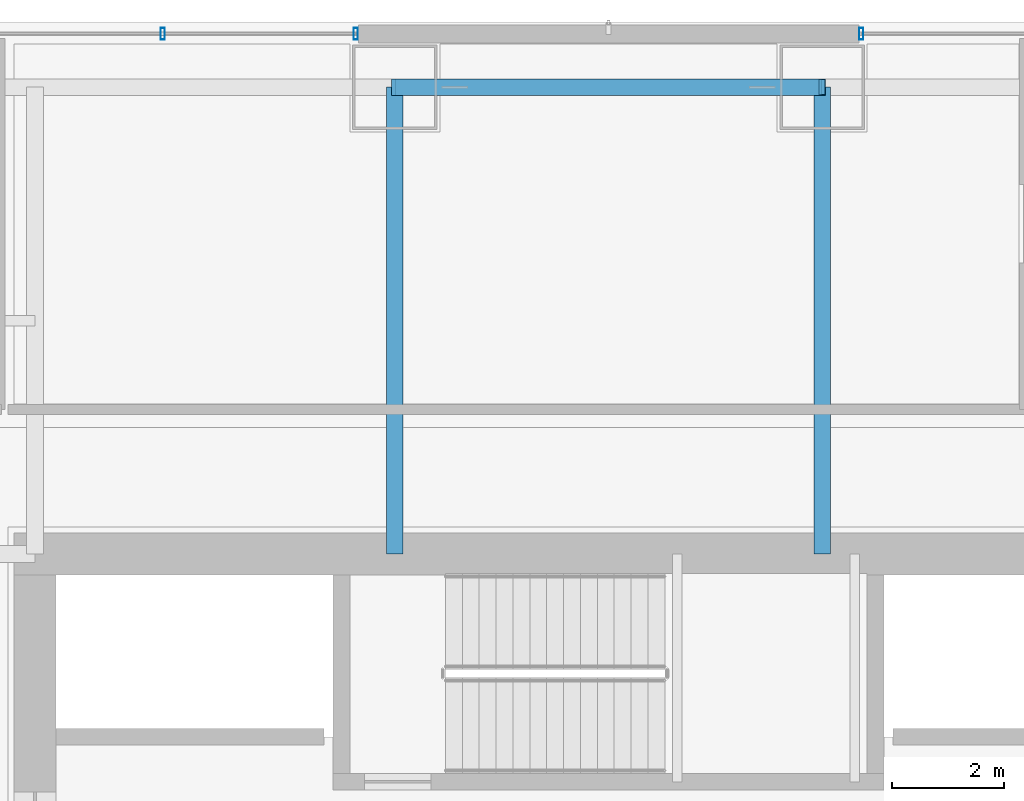
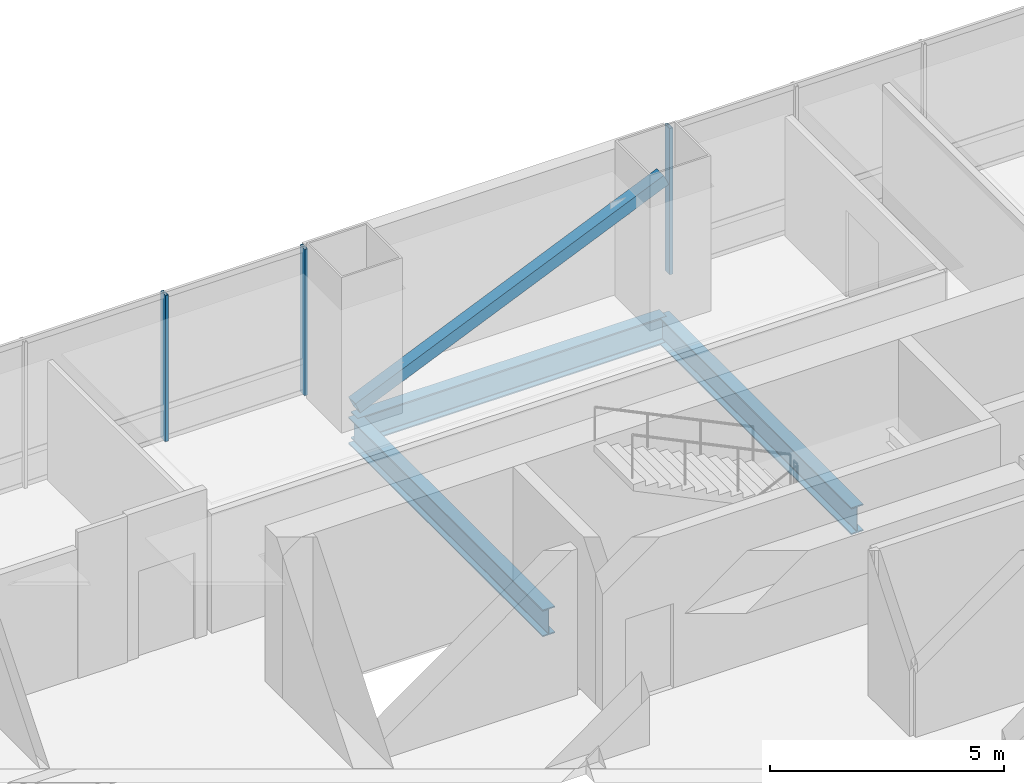
# One storey, part 20 of 37: 4 members, 3 beams, 2 elements without a shape of their own.
"""IFC4 building model written with IfcOpenShell, lengths in metres."""

from ifc_helpers import new_model, si_unit, direction, frame, origin, origin_2d, place, context, subcontext, project, spatial, hollow_rectangle, i_section, extrude, material, material_profile, profile_set, type_object, element, aggregate, save


model = new_model("IFC4")

# Units and contexts
model_context = context("Model", 3, precision=1e-05, world=origin(), true_north=direction((0.0, 1.0)))
body_context = subcontext(model_context, "Body", "Model", "MODEL_VIEW")
ifc_project = project(units=[si_unit("LENGTHUNIT", "METRE"), si_unit("AREAUNIT", "SQUARE_METRE"), si_unit("VOLUMEUNIT", "CUBIC_METRE"), si_unit("PLANEANGLEUNIT", "RADIAN"), si_unit("MASSUNIT", "GRAM", prefix="KILO")], contexts=[model_context])

# Site, building, storey
site_placement = place(None, origin())
site = spatial("IfcSite", under=ifc_project, at=site_placement, CompositionType="ELEMENT")
building_placement = place(site_placement, origin())
building = spatial("IfcBuilding", under=site, at=building_placement, Name="Punatoya Terracotta Tower", CompositionType="ELEMENT")
storey_placement = place(building_placement, frame((0.0, 0.0, 44.39990234375)))
storey = spatial("IfcBuildingStorey", under=building, at=storey_placement, Name="L09", CompositionType="ELEMENT", Elevation=44.39990234375)

# Beams
ifc_material_1 = material(Name="Steel S355", Category="steel")
ifc_material_profile_1 = material_profile(ifc_material_1, i_section(OverallWidth=0.300048828125, OverallDepth=0.699951171875, WebThickness=0.01708984375, FlangeThickness=0.031982421875, FilletRadius=0.01806640625, at=origin_2d()))
ifc_profile_set_1 = profile_set([ifc_material_profile_1], Name="Steel S355")
beam_type = type_object("IfcBeamType", Name="BM-PRI-700", PredefinedType="BEAM", material=ifc_profile_set_1)
beam_placement = place(storey_placement, frame((-3.800048828125, 17.5, -0.58984375), z_axis=(1.0, 0.0, 0.0), x_axis=(0.0, 1.0, 0.0)))
element("IfcBeam", 1, at=beam_placement, inside=storey, type_object=beam_type, Name="BM-L09-RG-N2", PredefinedType="BEAM", context=body_context, shape_type="SweptSolid", body=[
    extrude(i_section(OverallWidth=0.300048828125, OverallDepth=0.699951171875, WebThickness=0.01708984375, FlangeThickness=0.031982421875, FilletRadius=0.01806640625, at=origin_2d()), origin(), (0.0, 0.0, 1.0), 7.60009765625),
])
for number, where, z_axis, x_axis, name in (
    (2, (-3.800048828125, 9.199951171875, -0.58984375), (0.0, 1.0, 0.0), (-1.0, 0.0, 0.0), "BM-L09-PR-N2"),
    (3, (3.800048828125, 9.199951171875, -0.58984375), (0.0, 1.0, 0.0), (-1.0, 0.0, 0.0), "BM-L09-PR-N3"),
):
    element("IfcBeam", number, at=place(storey_placement, frame(where, z_axis=z_axis, x_axis=x_axis)), inside=storey, type_object=beam_type, Name=name, PredefinedType="BEAM", context=body_context, shape_type="SweptSolid", body=[
        extrude(i_section(OverallWidth=0.300048828125, OverallDepth=0.699951171875, WebThickness=0.01708984375, FlangeThickness=0.031982421875, FilletRadius=0.01806640625, at=origin_2d()), origin(), (0.0, 0.0, 1.0), 8.300048828125),
    ])

# Curtain wall, member
ifc_material_2 = material(Name="Aluminium 6063-T6 + Double Low-E Glass", Category="aluminium")
curtain_wall_type = type_object("IfcCurtainWallType", Name="CW-M1", PredefinedType="NOTDEFINED", material=ifc_material_2)
curtain_wall_1_placement = place(storey_placement, origin())
curtain_wall_1 = element("IfcCurtainWall", 4, at=curtain_wall_1_placement, inside=storey, type_object=curtain_wall_type, Name="L09 Curtain Wall CW-L09-N09-1", PredefinedType="NOTDEFINED")
ifc_material_3 = material(Name="Aluminium 6063-T6", Category="aluminium")
ifc_material_profile_2 = material_profile(ifc_material_3, hollow_rectangle(XDim=0.074951171875, YDim=0.2099609375, WallThickness=0.00439453125, at=origin_2d()))
ifc_profile_set_2 = profile_set([ifc_material_profile_2], Name="Aluminium 6063-T6")
member_type_1 = type_object("IfcMemberType", Name="CW-MUL-M1", PredefinedType="MULLION", material=ifc_profile_set_2)
member_1_placement = place(storey_placement, frame((4.4951171875, 18.449951171875, 0.0), z_axis=(0.0, 0.0, 1.0), x_axis=(1.0, 0.0, 0.0)))
member_1 = element("IfcMember", 5, at=member_1_placement, type_object=member_type_1, Name="CW-L09-N09-1 Mullion 04", PredefinedType="MULLION", context=body_context, shape_type="SweptSolid", body=[
    extrude(hollow_rectangle(XDim=0.074951171875, YDim=0.2099609375, WallThickness=0.00439453125, at=origin_2d()), origin(), (0.0, 0.0, 1.0), 3.81005859375),
])
aggregate(curtain_wall_1, [member_1])

# Curtain wall, members
curtain_wall_2_placement = place(storey_placement, origin())
curtain_wall_2 = element("IfcCurtainWall", 6, at=curtain_wall_2_placement, inside=storey, type_object=curtain_wall_type, Name="L09 Curtain Wall CW-L09-N09-2", PredefinedType="NOTDEFINED")
member_2_placement = place(storey_placement, frame((-4.4951171875, 18.449951171875, 0.0), z_axis=(0.0, 0.0, 1.0), x_axis=(1.0, 0.0, 0.0)))
member_2 = element("IfcMember", 7, at=member_2_placement, type_object=member_type_1, Name="CW-L09-N09-2 Mullion 00", PredefinedType="MULLION", context=body_context, shape_type="SweptSolid", body=[
    extrude(hollow_rectangle(XDim=0.074951171875, YDim=0.2099609375, WallThickness=0.00439453125, at=origin_2d()), origin(), (0.0, 0.0, 1.0), 3.81005859375),
])
member_3_placement = place(storey_placement, frame((-7.927490234375, 18.449951171875, 0.0), z_axis=(0.0, 0.0, 1.0), x_axis=(1.0, 0.0, 0.0)))
member_3 = element("IfcMember", 8, at=member_3_placement, type_object=member_type_1, Name="CW-L09-N09-2 Mullion 01", PredefinedType="MULLION", context=body_context, shape_type="SweptSolid", body=[
    extrude(hollow_rectangle(XDim=0.074951171875, YDim=0.2099609375, WallThickness=0.00439453125, at=origin_2d()), origin(), (0.0, 0.0, 1.0), 3.81005859375),
])
aggregate(curtain_wall_2, [member_2, member_3])

# Member
ifc_material_profile_3 = material_profile(ifc_material_1, hollow_rectangle(XDim=0.300048828125, YDim=0.300048828125, WallThickness=0.01611328125, at=origin_2d()))
ifc_profile_set_3 = profile_set([ifc_material_profile_3], Name="Steel S355")
member_type_2 = type_object("IfcMemberType", Name="MEM-WND-300", PredefinedType="BRACE", material=ifc_profile_set_3)
member_4_placement = place(storey_placement, frame((-3.800048828125, 17.5, 0.02001953125), z_axis=(0.917702547379, 0.0, 0.397268214856), x_axis=(0.0, 1.0, 0.0)))
element("IfcMember", 9, at=member_4_placement, inside=storey, type_object=member_type_2, Name="L09 Perimeter Wind Brace N2", PredefinedType="BRACE", context=body_context, shape_type="SweptSolid", body=[
    extrude(hollow_rectangle(XDim=0.300048828125, YDim=0.300048828125, WallThickness=0.01611328125, at=origin_2d()), origin(), (0.0, 0.0, 1.0), 8.28173828125),
])

save(model, "model.ifc")
